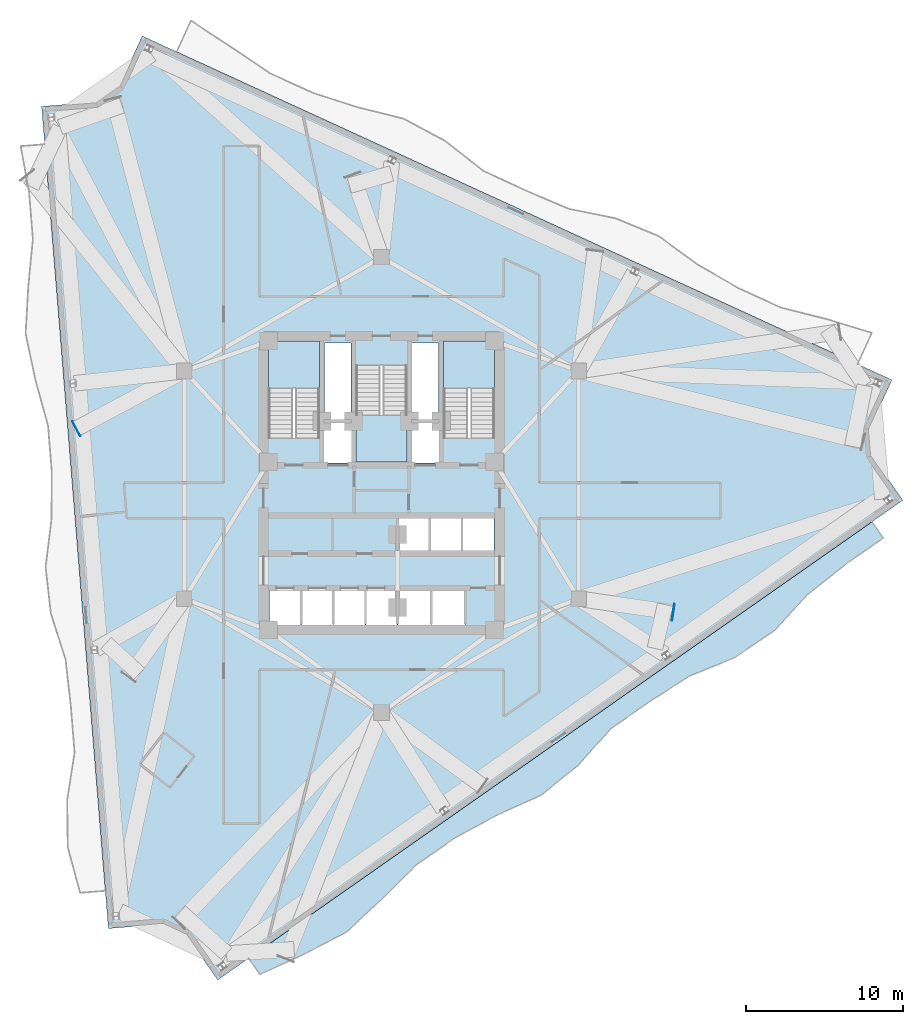
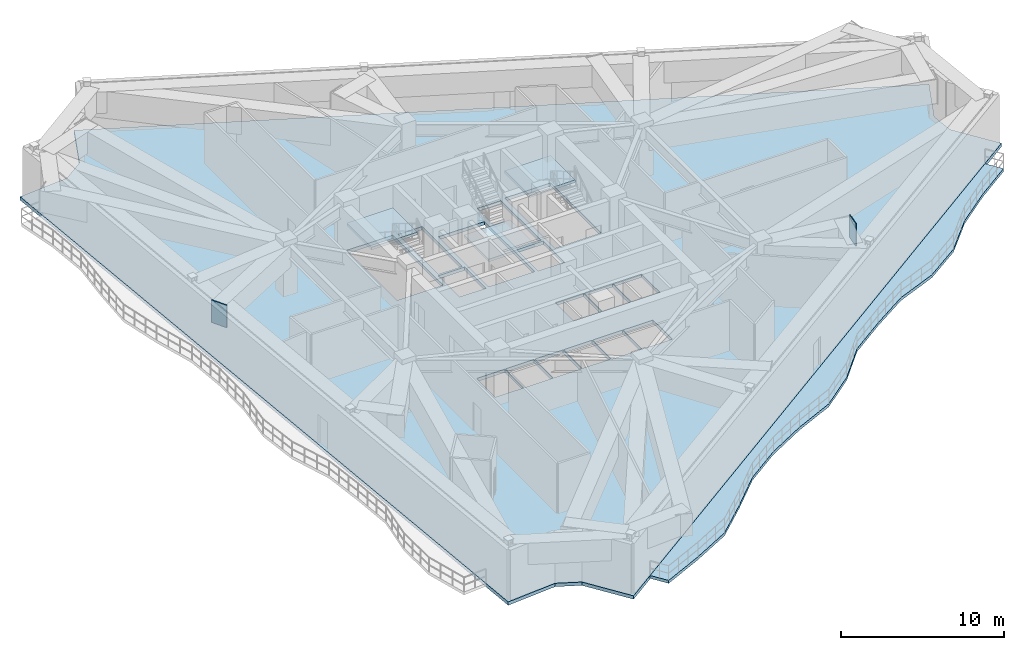
# One storey, part 5 of 14: 5 slabs, 2 plates, 3 elements without a shape of their own.
"""IFC4 building model written with IfcOpenShell, lengths in metres."""

from ifc_helpers import new_model, si_unit, direction, frame, origin, origin_2d, place, context, subcontext, project, spatial, polyline, rectangle, outline, extrude, material, layer, layer_set, type_object, element, aggregate, save


model = new_model("IFC4")

# Units and contexts
model_context = context("Model", 3, precision=1e-05, world=origin(), true_north=direction((0.0, 1.0)))
body_context = subcontext(model_context, "Body", "Model", "MODEL_VIEW")
ifc_project = project(units=[si_unit("LENGTHUNIT", "METRE"), si_unit("AREAUNIT", "SQUARE_METRE"), si_unit("VOLUMEUNIT", "CUBIC_METRE"), si_unit("PLANEANGLEUNIT", "RADIAN"), si_unit("MASSUNIT", "GRAM", prefix="KILO")], contexts=[model_context])

# Site, building, storey
site_placement = place(None, origin())
site = spatial("IfcSite", under=ifc_project, at=site_placement, CompositionType="ELEMENT")
building_placement = place(site_placement, origin())
building = spatial("IfcBuilding", under=site, at=building_placement, Name="Apsidion Concourse Tower", CompositionType="ELEMENT")
storey_placement = place(building_placement, frame((0.0, 0.0, 222.89990234375)))
storey = spatial("IfcBuildingStorey", under=building, at=storey_placement, Name="L52", CompositionType="ELEMENT", Elevation=222.89990234375)

# Plates
ifc_material_1 = material(Name="Structural steel ASTM A572 Grade 50", Category="steel")
ifc_layer_1 = layer(ifc_material_1, 0.034912109375)
ifc_layer_set_1 = layer_set([ifc_layer_1], Name="Structural steel ASTM A572 Grade 50")
plate_type = type_object("IfcPlateType", Name="PL-ENDCAP-35", PredefinedType="USERDEFINED", material=ifc_layer_set_1)
for number, where, z_axis, x_axis, name in (
    (1, (-19.4375, 3.578125, 2.1103515625), (0.0, 0.0, 1.0), (-0.882126866018, -0.471011881219, 0.0), "L52 Radial Transfer Girder End-Cap Plate NTRCAP-02"),
    (2, (18.575439453125, -8.122314453125, 2.1103515625), (0.0, 0.0, 1.0), (0.98965138682, -0.143492621991, 0.0), "L52 Radial Transfer Girder End-Cap Plate NTRCAP-07"),
):
    element("IfcPlate", number, at=place(storey_placement, frame(where, z_axis=z_axis, x_axis=x_axis)), inside=storey, type_object=plate_type, Name=name, ObjectType="FLANGE_PLATE", PredefinedType="USERDEFINED", context=body_context, shape_type="SweptSolid", body=[
        extrude(rectangle(XDim=0.044921875, YDim=1.080078125, at=origin_2d()), origin(), (0.0, 0.0, 1.0), 1.679931640625),
    ])

# Slabs
ifc_material_2 = material(Name="Concrete C50/60", Category="concrete")
ifc_layer_2 = layer(ifc_material_2, 0.219970703125)
ifc_layer_set_2 = layer_set([ifc_layer_2], Name="Concrete C50/60")
slab_type_1 = type_object("IfcSlabType", Name="SL-BAL-220", PredefinedType="FLOOR", material=ifc_layer_set_2)
slab_1_placement = place(storey_placement, frame((0.0, 0.0, -0.219970703125)))
element("IfcSlab", 3, at=slab_1_placement, inside=storey, type_object=slab_type_1, Name="L52 Face 2 Rippling Balcony Slab", PredefinedType="FLOOR", context=body_context, shape_type="SweptSolid", body=[
    extrude(outline(polyline([(-8.46728515625, -30.153564453125), (-5.986083984375, -28.416259765625), (-3.5048828125, -26.678955078125), (-1.023681640625, -24.941650390625), (1.457275390625, -23.204345703125), (3.9384765625, -21.467041015625), (6.419677734375, -19.729736328125), (8.90087890625, -17.992431640625), (11.3818359375, -16.255126953125), (13.863037109375, -14.517578125), (16.34423828125, -12.780517578125), (18.8251953125, -11.043212890625), (21.306396484375, -9.305908203125), (23.78759765625, -7.568603515625), (26.268798828125, -5.831298828125), (28.75, -4.093994140625), (31.23095703125, -2.356689453125), (31.947998046875, -3.380615234375), (29.466796875, -5.117919921875), (27.098876953125, -7.0166015625), (24.996337890625, -9.294921875), (22.492431640625, -10.99951171875), (19.61572265625, -12.171875), (17.061279296875, -13.804443359375), (14.580078125, -15.541748046875), (12.509521484375, -17.865478515625), (10.14453125, -19.7685546875), (7.333984375, -21.03564453125), (4.655517578125, -22.490966796875), (2.17431640625, -24.228271484375), (-0.00390625, -26.398193359375), (-2.2431640625, -28.48095703125), (-4.950439453125, -29.895263671875), (-7.750244140625, -31.177490234375), (-8.46728515625, -30.153564453125)])), origin(), (0.0, 0.0, 1.0), 0.219970703125),
])
ifc_layer_3 = layer(ifc_material_2, 0.25)
ifc_layer_set_3 = layer_set([ifc_layer_3], Name="Concrete C50/60")
slab_type_2 = type_object("IfcSlabType", Name="SL-FLR-250", PredefinedType="FLOOR", material=ifc_layer_set_3)
slab_2_placement = place(storey_placement, frame((0.0, 0.0, -0.25)))
element("IfcSlab", 4, at=slab_2_placement, inside=storey, type_object=slab_type_2, Name="L52 Structural Floor Slab", PredefinedType="FLOOR", context=body_context, shape_type="SweptSolid", body=[
    extrude(outline(polyline([(-15.241943359375, 28.5869140625), (-16.6982421875, 25.41259765625), (-18.1689453125, 24.3828125), (-21.64990234375, 24.10009765625), (-17.39892578125, -28.25537109375), (-13.91796875, -27.972900390625), (-12.436279296875, -28.669189453125), (-10.43310546875, -31.530029296875), (33.197021484375, -0.97998046875), (31.19384765625, 1.880859375), (31.0458984375, 3.51123046875), (32.502197265625, 6.685791015625), (-15.241943359375, 28.5869140625)]), holes=[polyline([(-3.949951171875, 3.0), (-3.949951171875, 9.14990234375), (-7.199951171875, 9.14990234375), (-7.199951171875, 3.0), (-3.949951171875, 3.0)]), polyline([(7.199951171875, 3.0), (7.199951171875, 9.14990234375), (3.949951171875, 9.14990234375), (3.949951171875, 3.0), (7.199951171875, 3.0)]), polyline([(-1.625, 7.60009765625), (-1.625, 1.449951171875), (1.625, 1.449951171875), (1.625, 7.60009765625), (-1.625, 7.60009765625)]), polyline([(1.054931640625, -4.300048828125), (3.044921875, -4.300048828125), (3.044921875, -2.050048828125), (1.054931640625, -2.050048828125), (1.054931640625, -4.300048828125)]), polyline([(3.10498046875, -4.300048828125), (5.094970703125, -4.300048828125), (5.094970703125, -2.050048828125), (3.10498046875, -2.050048828125), (3.10498046875, -4.300048828125)]), polyline([(5.155029296875, -4.300048828125), (7.14501953125, -4.300048828125), (7.14501953125, -2.050048828125), (5.155029296875, -2.050048828125), (5.155029296875, -4.300048828125)]), polyline([(-7.14501953125, -8.949951171875), (-5.155029296875, -8.949951171875), (-5.155029296875, -6.64990234375), (-7.14501953125, -6.64990234375), (-7.14501953125, -8.949951171875)]), polyline([(-5.094970703125, -8.949951171875), (-3.10498046875, -8.949951171875), (-3.10498046875, -6.64990234375), (-5.094970703125, -6.64990234375), (-5.094970703125, -8.949951171875)]), polyline([(-3.044921875, -8.949951171875), (-1.054931640625, -8.949951171875), (-1.054931640625, -6.64990234375), (-3.044921875, -6.64990234375), (-3.044921875, -8.949951171875)]), polyline([(-0.9951171875, -8.949951171875), (0.9951171875, -8.949951171875), (0.9951171875, -6.64990234375), (-0.9951171875, -6.64990234375), (-0.9951171875, -8.949951171875)]), polyline([(1.044921875, -9.0), (3.155029296875, -9.0), (3.155029296875, -6.64990234375), (1.044921875, -6.64990234375), (1.044921875, -9.0)]), polyline([(3.195068359375, -9.0), (5.304931640625, -9.0), (5.304931640625, -6.64990234375), (3.195068359375, -6.64990234375), (3.195068359375, -9.0)]), polyline([(-3.7099609375, 1.39990234375), (-1.85009765625, 1.39990234375), (-1.85009765625, 4.0), (-3.7099609375, 4.0), (-3.7099609375, 1.39990234375)]), polyline([(1.85009765625, 1.39990234375), (3.7099609375, 1.39990234375), (3.7099609375, 4.0), (1.85009765625, 4.0), (1.85009765625, 1.39990234375)]), polyline([(-3.6201171875, 4.14990234375), (-1.93994140625, 4.14990234375), (-1.93994140625, 9.050048828125), (-3.6201171875, 9.050048828125), (-3.6201171875, 4.14990234375)]), polyline([(1.93994140625, 4.14990234375), (3.6201171875, 4.14990234375), (3.6201171875, 9.050048828125), (1.93994140625, 9.050048828125), (1.93994140625, 4.14990234375)])]), origin(), (0.0, 0.0, 1.0), 0.25),
])

# Stair, slab
ifc_material_3 = material(Name="Precast concrete C40/50", Category="concrete")
stair_type = type_object("IfcStairType", Name="ST-DL-1550", PredefinedType="HALF_TURN_STAIR", material=ifc_material_3)
stair_1_placement = place(storey_placement, origin())
stair_1 = element("IfcStair", 5, at=stair_1_placement, inside=storey, type_object=stair_type, Name="L52 Protected Core Exit Stair ST1", PredefinedType="HALF_TURN_STAIR")
ifc_layer_4 = layer(ifc_material_2, 0.199951171875)
ifc_layer_set_4 = layer_set([ifc_layer_4], Name="Concrete C50/60")
slab_type_3 = type_object("IfcSlabType", Name="SL-ST-LAND-200", PredefinedType="LANDING", material=ifc_layer_set_4)
slab_3_placement = place(storey_placement, frame((0.0, 0.0, 1.85009765625)))
slab_3 = element("IfcSlab", 6, at=slab_3_placement, type_object=slab_type_3, Name="ST1 landing 1", PredefinedType="LANDING", context=body_context, shape_type="SweptSolid", body=[
    extrude(outline(polyline([(-3.949951171875, 6.135009765625), (-3.949951171875, 9.14990234375), (-7.199951171875, 9.14990234375), (-7.199951171875, 6.135009765625), (-3.949951171875, 6.135009765625)])), origin(), (0.0, 0.0, 1.0), 0.199951171875),
])
aggregate(stair_1, [slab_3])

stair_2_placement = place(storey_placement, origin())
stair_2 = element("IfcStair", 7, at=stair_2_placement, inside=storey, type_object=stair_type, Name="L52 Protected Core Exit Stair ST2", PredefinedType="HALF_TURN_STAIR")
slab_4_placement = place(storey_placement, frame((0.0, 0.0, 1.85009765625)))
slab_4 = element("IfcSlab", 8, at=slab_4_placement, type_object=slab_type_3, Name="ST2 landing 1", PredefinedType="LANDING", context=body_context, shape_type="SweptSolid", body=[
    extrude(outline(polyline([(7.199951171875, 6.135009765625), (7.199951171875, 9.14990234375), (3.949951171875, 9.14990234375), (3.949951171875, 6.135009765625), (7.199951171875, 6.135009765625)])), origin(), (0.0, 0.0, 1.0), 0.199951171875),
])
aggregate(stair_2, [slab_4])

stair_3_placement = place(storey_placement, origin())
stair_3 = element("IfcStair", 9, at=stair_3_placement, inside=storey, type_object=stair_type, Name="L52 Protected Core Exit Stair ST3", PredefinedType="HALF_TURN_STAIR")
slab_5_placement = place(storey_placement, frame((0.0, 0.0, 1.85009765625)))
slab_5 = element("IfcSlab", 10, at=slab_5_placement, type_object=slab_type_3, Name="ST3 landing 1", PredefinedType="LANDING", context=body_context, shape_type="SweptSolid", body=[
    extrude(outline(polyline([(-1.625, 4.465087890625), (-1.625, 1.449951171875), (1.625, 1.449951171875), (1.625, 4.465087890625), (-1.625, 4.465087890625)])), origin(), (0.0, 0.0, 1.0), 0.199951171875),
])
aggregate(stair_3, [slab_5])

save(model, "model.ifc")
